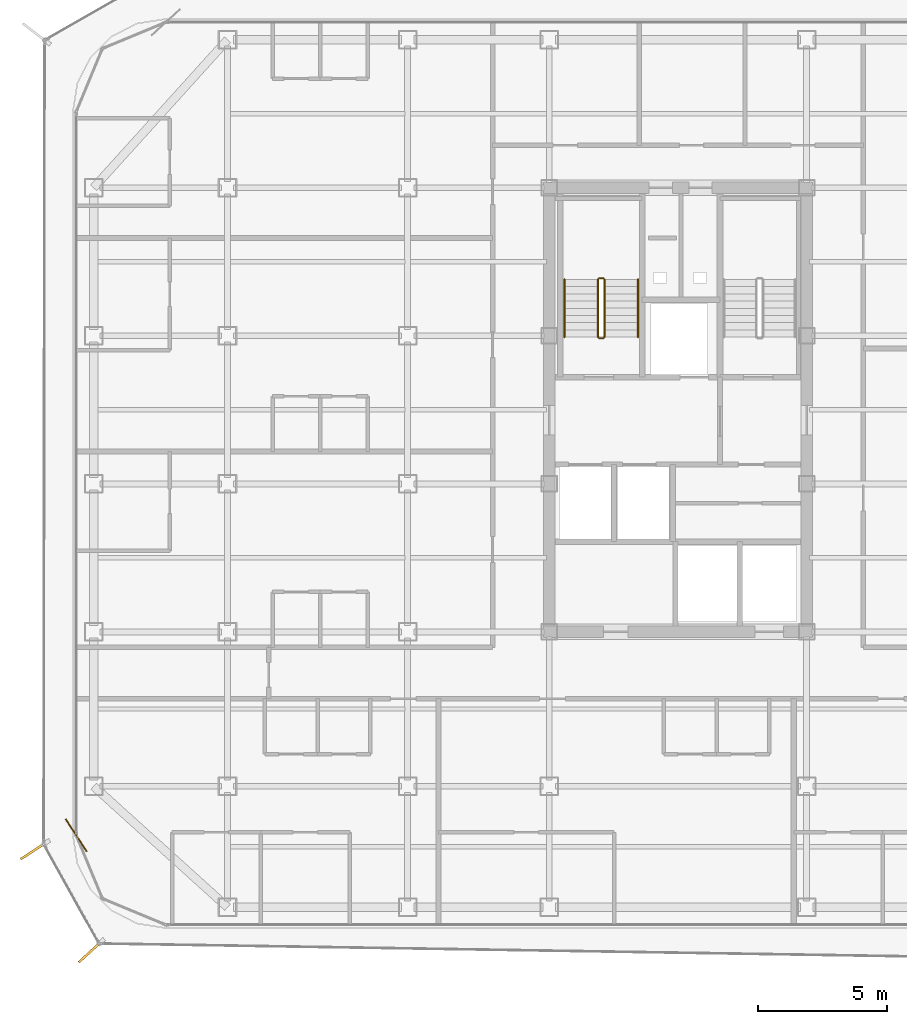
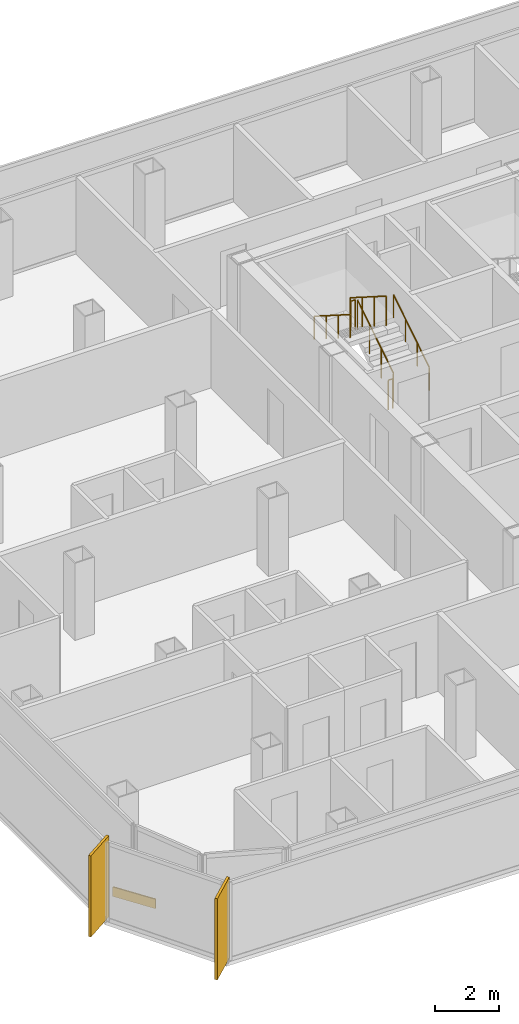
# One storey, part 14 of 16: 6 railings, 2 shading devices, 1 covering.
"""IFC4 building model written with IfcOpenShell, lengths in metres."""

from ifc_helpers import new_model, si_unit, direction, frame, origin, origin_2d, place, context, subcontext, project, spatial, rectangle, circle, extrude, source, transform, mapped, material, layer, layer_set, type_object, element, save


model = new_model("IFC4")

# Units and contexts
model_context = context("Model", 3, precision=1e-05, world=origin(), true_north=direction((0.0, 1.0)))
body_context = subcontext(model_context, "Body", "Model", "MODEL_VIEW")
ifc_project = project(units=[si_unit("LENGTHUNIT", "METRE"), si_unit("AREAUNIT", "SQUARE_METRE"), si_unit("VOLUMEUNIT", "CUBIC_METRE"), si_unit("PLANEANGLEUNIT", "RADIAN"), si_unit("MASSUNIT", "GRAM", prefix="KILO")], contexts=[model_context])

# Site, building, storey
site_placement = place(None, origin())
site = spatial("IfcSite", under=ifc_project, at=site_placement, CompositionType="ELEMENT")
building_placement = place(site_placement, origin())
building = spatial("IfcBuilding", under=site, at=building_placement, Name="Kolveth Station Tower", CompositionType="ELEMENT")
storey_placement = place(building_placement, frame((0.0, 0.0, 156.10009765625)))
storey = spatial("IfcBuildingStorey", under=building, at=storey_placement, Name="L43", CompositionType="ELEMENT", Elevation=156.10009765625)

# Railings
ifc_material_1 = material(Name="Painted Steel S355 balustrade", Category="steel")
railing_type_1 = type_object("IfcRailingType", Name="Guard_GR2", PredefinedType="BALUSTRADE", material=ifc_material_1)
railing_1_placement = place(storey_placement, frame((20.64990234375, 22.949951171875, 0.177734375)))
element("IfcRailing", 1, at=railing_1_placement, inside=storey, type_object=railing_type_1, Name="L43 ST1 stair guard 1", PredefinedType="BALUSTRADE", context=body_context, shape_type="SweptSolid", body=[
    extrude(circle(Radius=0.02392578125, at=origin_2d()), frame((0.0, 0.0, 1.1259765625), z_axis=(0.0, 0.8442293374, 0.53598211339), x_axis=(-1.0, 0.0, 0.0)), (0.0, 0.0, 1.0), 2.6533203125),
    extrude(circle(Radius=0.02099609375, at=origin_2d()), origin(), (0.0, 0.0, 1.0), 1.101806640625),
    extrude(circle(Radius=0.02099609375, at=origin_2d()), frame((0.0, 0.74658203125, 0.47412109375)), (0.0, 0.0, 1.0), 1.101806640625),
    extrude(circle(Radius=0.02099609375, at=origin_2d()), frame((0.0, 1.493408203125, 0.947998046875)), (0.0, 0.0, 1.0), 1.101806640625),
    extrude(circle(Radius=0.02099609375, at=origin_2d()), frame((0.0, 2.239990234375, 1.422119140625)), (0.0, 0.0, 1.0), 1.101806640625),
])
railing_2_placement = place(storey_placement, frame((20.60009765625, 25.239990234375, 1.599853515625)))
element("IfcRailing", 2, at=railing_2_placement, inside=storey, type_object=railing_type_1, Name="L43 ST1 stair guard 2", PredefinedType="BALUSTRADE", context=body_context, shape_type="SweptSolid", body=[
    extrude(circle(Radius=0.02392578125, at=origin_2d()), frame((0.0, 0.0, 1.1259765625), z_axis=(-1.0, 0.0, 0.0), x_axis=(0.0, -1.0, 0.0)), (0.0, 0.0, 1.0), 0.16015625),
    extrude(circle(Radius=0.02099609375, at=origin_2d()), origin(), (0.0, 0.0, 1.0), 1.101806640625),
    extrude(circle(Radius=0.02099609375, at=origin_2d()), frame((-0.16015625, 0.0, 0.0)), (0.0, 0.0, 1.0), 1.101806640625),
])
railing_3_placement = place(storey_placement, frame((20.389892578125, 25.18994140625, 1.777587890625)))
element("IfcRailing", 3, at=railing_3_placement, inside=storey, type_object=railing_type_1, Name="L43 ST1 stair guard 3", PredefinedType="BALUSTRADE", context=body_context, shape_type="SweptSolid", body=[
    extrude(circle(Radius=0.02392578125, at=origin_2d()), frame((0.0, 0.0, 1.1259765625), z_axis=(0.0, -0.84418770128, 0.536047689118), x_axis=(1.0, 0.0, 0.0)), (0.0, 0.0, 1.0), 2.6533203125),
    extrude(circle(Radius=0.02099609375, at=origin_2d()), origin(), (0.0, 0.0, 1.0), 1.101806640625),
    extrude(circle(Radius=0.02099609375, at=origin_2d()), frame((0.0, -0.74658203125, 0.47412109375)), (0.0, 0.0, 1.0), 1.101806640625),
    extrude(circle(Radius=0.02099609375, at=origin_2d()), frame((0.0, -1.493408203125, 0.9482421875)), (0.0, 0.0, 1.0), 1.101806640625),
    extrude(circle(Radius=0.02099609375, at=origin_2d()), frame((0.0, -2.239990234375, 1.42236328125)), (0.0, 0.0, 1.0), 1.101806640625),
])
railing_4_placement = place(storey_placement, frame((20.60009765625, 22.89990234375, 0.0)))
element("IfcRailing", 4, at=railing_4_placement, inside=storey, type_object=railing_type_1, Name="L43 ST1 stair guard 4", PredefinedType="BALUSTRADE", context=body_context, shape_type="SweptSolid", body=[
    extrude(circle(Radius=0.02392578125, at=origin_2d()), frame((0.0, 0.0, 1.1259765625), z_axis=(-1.0, 0.0, 0.0), x_axis=(0.0, -1.0, 0.0)), (0.0, 0.0, 1.0), 0.16015625),
    extrude(circle(Radius=0.02099609375, at=origin_2d()), origin(), (0.0, 0.0, 1.0), 1.101806640625),
    extrude(circle(Radius=0.02099609375, at=origin_2d()), frame((-0.16015625, 0.0, 0.0)), (0.0, 0.0, 1.0), 1.101806640625),
])
ifc_material_2 = material(Name="Brushed stainless steel", Category="steel")
railing_type_2 = type_object("IfcRailingType", Name="Handrail_HR1", PredefinedType="HANDRAIL", material=ifc_material_2)
railing_5_placement = place(storey_placement, frame((21.949951171875, 22.949951171875, 0.177734375)))
element("IfcRailing", 5, at=railing_5_placement, inside=storey, type_object=railing_type_2, Name="L43 ST1 stair handrail 1", PredefinedType="HANDRAIL", context=body_context, shape_type="SweptSolid", body=[
    extrude(circle(Radius=0.02392578125, at=origin_2d()), frame((0.0, 0.0, 0.8759765625), z_axis=(0.0, 0.8442293374, 0.53598211339), x_axis=(-1.0, 0.0, 0.0)), (0.0, 0.0, 1.0), 2.6533203125),
    extrude(circle(Radius=0.02099609375, at=origin_2d()), origin(), (0.0, 0.0, 1.0), 0.851806640625),
    extrude(circle(Radius=0.02099609375, at=origin_2d()), frame((0.0, 0.74658203125, 0.47412109375)), (0.0, 0.0, 1.0), 0.851806640625),
    extrude(circle(Radius=0.02099609375, at=origin_2d()), frame((0.0, 1.493408203125, 0.947998046875)), (0.0, 0.0, 1.0), 0.851806640625),
    extrude(circle(Radius=0.02099609375, at=origin_2d()), frame((0.0, 2.239990234375, 1.422119140625)), (0.0, 0.0, 1.0), 0.851806640625),
])
railing_6_placement = place(storey_placement, frame((19.090087890625, 25.18994140625, 1.777587890625)))
element("IfcRailing", 6, at=railing_6_placement, inside=storey, type_object=railing_type_2, Name="L43 ST1 stair handrail 2", PredefinedType="HANDRAIL", context=body_context, shape_type="SweptSolid", body=[
    extrude(circle(Radius=0.02392578125, at=origin_2d()), frame((0.0, 0.0, 0.8759765625), z_axis=(0.0, -0.84418770128, 0.536047689118), x_axis=(1.0, 0.0, 0.0)), (0.0, 0.0, 1.0), 2.6533203125),
    extrude(circle(Radius=0.02099609375, at=origin_2d()), origin(), (0.0, 0.0, 1.0), 0.851806640625),
    extrude(circle(Radius=0.02099609375, at=origin_2d()), frame((0.0, -0.74658203125, 0.47412109375)), (0.0, 0.0, 1.0), 0.851806640625),
    extrude(circle(Radius=0.02099609375, at=origin_2d()), frame((0.0, -1.493408203125, 0.9482421875)), (0.0, 0.0, 1.0), 0.851806640625),
    extrude(circle(Radius=0.02099609375, at=origin_2d()), frame((0.0, -2.239990234375, 1.42236328125)), (0.0, 0.0, 1.0), 0.851806640625),
])

# Shading devices
ifc_material_3 = material(Name="Black anodized aluminium 6063-T6", Category="aluminium")
shading_device_type = type_object("IfcShadingDeviceType", Name="FIN_VF1", PredefinedType="USERDEFINED", material=ifc_material_3)
shared_shape_1 = source(origin(), body_context, "Body", "SweptSolid", [
    extrude(rectangle(XDim=1.25, YDim=0.090087890625, at=origin_2d()), origin(), (0.0, 0.0, 1.0), 3.10009765625),
])
for number, where, z_axis, x_axis, name in (
    (7, (-1.512939453125, 3.008056640625, -0.000244140625), (0.0, 0.0, 1.0), (-0.837146380758, -0.546978918409, 0.0), "L43 Dark-Aluminium Solar Fin 7"),
    (8, (0.679931640625, -0.9189453125, -0.000244140625), (0.0, 0.0, 1.0), (-0.736569456271, -0.676361912062, 0.0), "L43 Dark-Aluminium Solar Fin 8"),
):
    element("IfcShadingDevice", number, at=place(storey_placement, frame(where, z_axis=z_axis, x_axis=x_axis)), inside=storey, type_object=shading_device_type, Name=name, ObjectType="FIN", PredefinedType="USERDEFINED", context=body_context, shape_type="MappedRepresentation", body=[
        mapped(shared_shape_1, transform((0.0, 0.0, 0.0), x_axis=(1.0, 0.0, 0.0), y_axis=(0.0, 1.0, 0.0), z_axis=(0.0, 0.0, 1.0), scale=1.0)),
    ])

# Covering
ifc_material_4 = material(Name="Charcoal anodized aluminium spandrel cladding", Category="aluminium")
ifc_layer = layer(ifc_material_4, 0.044921875)
ifc_layer_set = layer_set([ifc_layer], Name="Charcoal anodized aluminium spandrel cladding")
covering_type = type_object("IfcCoveringType", Name="Clad_CD1", PredefinedType="CLADDING", material=ifc_layer_set)
shared_shape_2 = source(origin(), body_context, "Body", "SweptSolid", [
    extrude(rectangle(XDim=1.5, YDim=0.044921875, at=origin_2d()), origin(), (0.0, 0.0, 1.0), 0.360107421875),
])
covering_placement = place(storey_placement, frame((0.1201171875, 3.60009765625, 0.0), z_axis=(0.0, 0.0, 1.0), x_axis=(0.546978918409, -0.837146380758, 0.0)))
element("IfcCovering", 9, at=covering_placement, inside=storey, type_object=covering_type, Name="L43 Spandrel Edge Cladding 7", PredefinedType="CLADDING", context=body_context, shape_type="MappedRepresentation", body=[
    mapped(shared_shape_2, transform((0.0, 0.0, 0.0), x_axis=(1.0, 0.0, 0.0), y_axis=(0.0, 1.0, 0.0), z_axis=(0.0, 0.0, 1.0), scale=1.0)),
])

save(model, "model.ifc")
